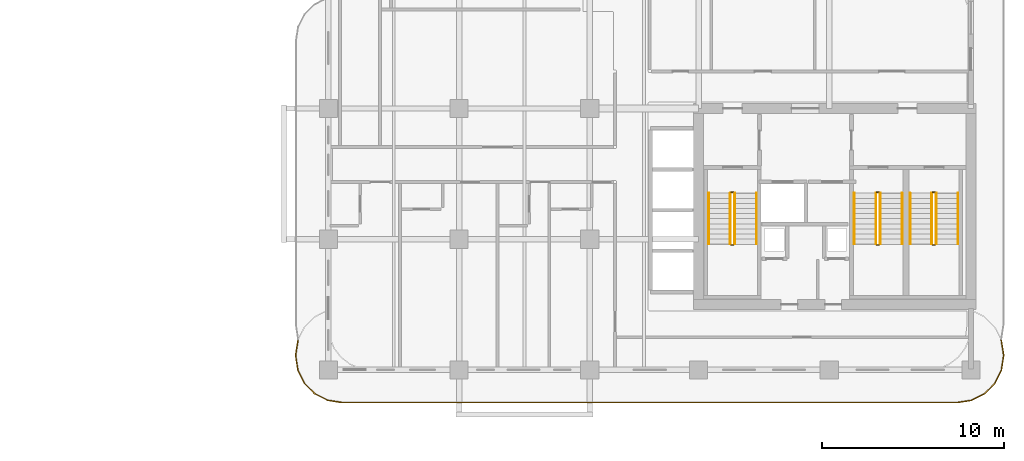
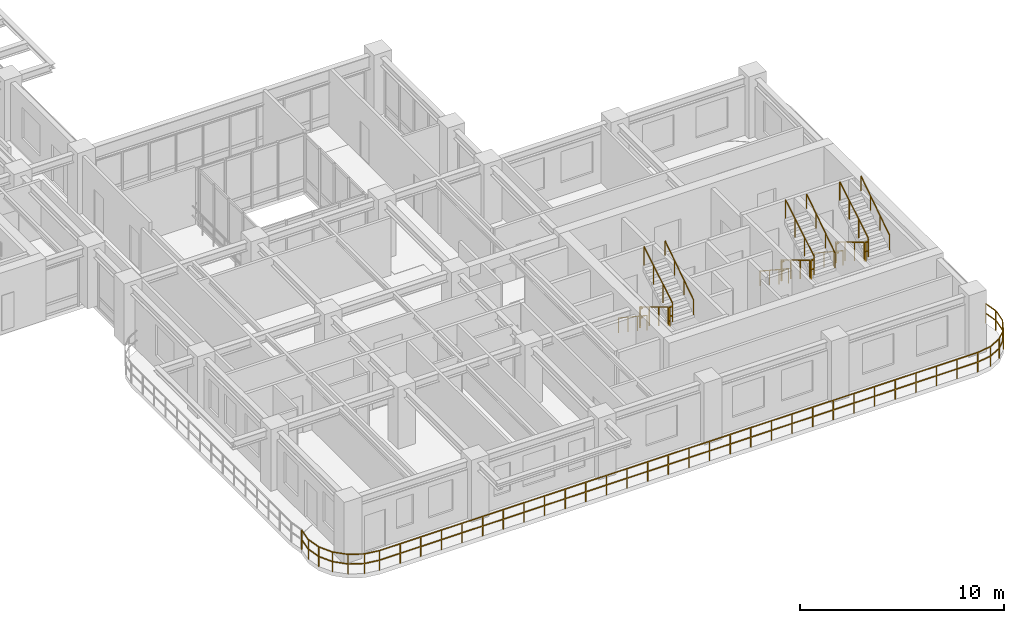
# One storey, part 18 of 20: 19 railings.
"""IFC4 building model written with IfcOpenShell, lengths in metres."""

from ifc_helpers import new_model, si_unit, derived_unit, direction, frame, origin, origin_2d, place, context, subcontext, project, spatial, rectangle, extrude, material, type_object, element, save


model = new_model("IFC4")

# Units and contexts
model_context = context("Model", 3, precision=1e-05, world=origin(), true_north=direction((0.0, 1.0)))
body_context = subcontext(model_context, "Body", "Model", "MODEL_VIEW")
ifc_project = project(units=[si_unit("LENGTHUNIT", "METRE"), si_unit("AREAUNIT", "SQUARE_METRE"), si_unit("VOLUMEUNIT", "CUBIC_METRE"), si_unit("PLANEANGLEUNIT", "RADIAN"), si_unit("MASSUNIT", "GRAM", prefix="KILO"), si_unit("THERMODYNAMICTEMPERATUREUNIT", "KELVIN"), si_unit("POWERUNIT", "WATT"), derived_unit("THERMALTRANSMITTANCEUNIT", [(si_unit("POWERUNIT", "WATT"), 1), (si_unit("AREAUNIT", "SQUARE_METRE"), -1), (si_unit("THERMODYNAMICTEMPERATUREUNIT", "KELVIN"), -1)])], contexts=[model_context])

# Site, building, storey
site_placement = place(None, origin())
site = spatial("IfcSite", under=ifc_project, at=site_placement, CompositionType="ELEMENT")
building_placement = place(site_placement, origin())
building = spatial("IfcBuilding", under=site, at=building_placement, Name="Zahravan Archway Hotel and Residences", CompositionType="ELEMENT")
storey_placement = place(building_placement, frame((0.0, 0.0, 119.199951171875)))
storey = spatial("IfcBuildingStorey", under=building, at=storey_placement, Name="L29", CompositionType="ELEMENT", Elevation=119.199951171875)

# Railings
ifc_material_1 = material(Name="Bronze & Laminated Glass Balustrade", Category="glass")
railing_type_1 = type_object("IfcRailingType", Name="RL-BAL-1200", PredefinedType="BALUSTRADE", material=ifc_material_1)
railing_1_placement = place(storey_placement, frame((51.47509765625, 1.637939453125, 0.0)))
element("IfcRailing", 1, at=railing_1_placement, inside=storey, type_object=railing_type_1, Name="L29 Balustrade RL-SLB-BAL-L29-SA-1", PredefinedType="BALUSTRADE", context=body_context, shape_type="SweptSolid", body=[
    extrude(rectangle(XDim=0.048095703125, YDim=0.048095703125, at=origin_2d()), frame((0.0, 0.0, 1.17578125), z_axis=(0.156701202656, -0.987646056584, 0.0), x_axis=(0.987646056584, 0.156701202656, 0.0)), (0.0, 0.0, 1.0), 0.797607421875),
    extrude(rectangle(XDim=0.048095703125, YDim=0.048095703125, at=origin_2d()), frame((0.0, 0.0, 0.60009765625), z_axis=(0.156701202656, -0.987646056584, 0.0), x_axis=(0.987646056584, 0.156701202656, 0.0)), (0.0, 0.0, 1.0), 0.797607421875),
    extrude(rectangle(XDim=0.048095703125, YDim=0.048095703125, at=origin_2d()), frame((0.125, -0.787841796875, 1.17578125), z_axis=(0.0, -1.0, 0.0), x_axis=(1.0, 0.0, 0.0)), (0.0, 0.0, 1.0), 0.10009765625),
    extrude(rectangle(XDim=0.048095703125, YDim=0.048095703125, at=origin_2d()), frame((0.125, -0.787841796875, 0.60009765625), z_axis=(0.0, -1.0, 0.0), x_axis=(1.0, 0.0, 0.0)), (0.0, 0.0, 1.0), 0.10009765625),
    extrude(rectangle(XDim=0.048095703125, YDim=0.048095703125, at=origin_2d()), frame((0.125, -0.887939453125, 1.17578125), z_axis=(-0.156653849773, -0.98765356849, 0.0), x_axis=(0.98765356849, -0.156653849773, 0.0)), (0.0, 0.0, 1.0), 0.7978515625),
    extrude(rectangle(XDim=0.048095703125, YDim=0.048095703125, at=origin_2d()), frame((0.125, -0.887939453125, 0.60009765625), z_axis=(-0.156653849773, -0.98765356849, 0.0), x_axis=(0.98765356849, -0.156653849773, 0.0)), (0.0, 0.0, 1.0), 0.7978515625),
    extrude(rectangle(XDim=0.048095703125, YDim=0.048095703125, at=origin_2d()), frame((0.0, -1.676025390625, 1.17578125), z_axis=(-0.453934952053, -0.891034824967, 0.0), x_axis=(0.891034824967, -0.453934952053, 0.0)), (0.0, 0.0, 1.0), 0.797607421875),
    extrude(rectangle(XDim=0.048095703125, YDim=0.048095703125, at=origin_2d()), frame((0.0, -1.676025390625, 0.60009765625), z_axis=(-0.453934952053, -0.891034824967, 0.0), x_axis=(0.891034824967, -0.453934952053, 0.0)), (0.0, 0.0, 1.0), 0.797607421875),
    extrude(rectangle(XDim=0.048095703125, YDim=0.048095703125, at=origin_2d()), frame((-0.362060546875, -2.38671875, 1.17578125), z_axis=(-0.707106781187, -0.707106781187, 0.0), x_axis=(0.707106781187, -0.707106781187, 0.0)), (0.0, 0.0, 1.0), 0.7978515625),
    extrude(rectangle(XDim=0.048095703125, YDim=0.048095703125, at=origin_2d()), frame((-0.362060546875, -2.38671875, 0.60009765625), z_axis=(-0.707106781187, -0.707106781187, 0.0), x_axis=(0.707106781187, -0.707106781187, 0.0)), (0.0, 0.0, 1.0), 0.7978515625),
    extrude(rectangle(XDim=0.048095703125, YDim=0.048095703125, at=origin_2d()), frame((-0.92626953125, -2.950927734375, 1.17578125), z_axis=(-0.890974108706, -0.454054113091, 0.0), x_axis=(0.454054113091, -0.890974108706, 0.0)), (0.0, 0.0, 1.0), 0.7978515625),
    extrude(rectangle(XDim=0.048095703125, YDim=0.048095703125, at=origin_2d()), frame((-0.92626953125, -2.950927734375, 0.60009765625), z_axis=(-0.890974108706, -0.454054113091, 0.0), x_axis=(0.454054113091, -0.890974108706, 0.0)), (0.0, 0.0, 1.0), 0.7978515625),
    extrude(rectangle(XDim=0.048095703125, YDim=0.048095703125, at=origin_2d()), frame((-1.63720703125, -3.313232421875, 1.17578125), z_axis=(-0.987693380745, -0.156402639467, 0.0), x_axis=(0.156402639467, -0.987693380745, 0.0)), (0.0, 0.0, 1.0), 0.797607421875),
    extrude(rectangle(XDim=0.048095703125, YDim=0.048095703125, at=origin_2d()), frame((-1.63720703125, -3.313232421875, 0.60009765625), z_axis=(-0.987693380745, -0.156402639467, 0.0), x_axis=(0.156402639467, -0.987693380745, 0.0)), (0.0, 0.0, 1.0), 0.797607421875),
    extrude(rectangle(XDim=0.048095703125, YDim=0.048095703125, at=origin_2d()), frame((-2.425048828125, -3.43798828125, 1.17578125), z_axis=(-1.0, 0.0, 0.0), x_axis=(0.0, -1.0, 0.0)), (0.0, 0.0, 1.0), 33.900146484375),
    extrude(rectangle(XDim=0.048095703125, YDim=0.048095703125, at=origin_2d()), frame((-2.425048828125, -3.43798828125, 0.60009765625), z_axis=(-1.0, 0.0, 0.0), x_axis=(0.0, -1.0, 0.0)), (0.0, 0.0, 1.0), 33.900146484375),
    extrude(rectangle(XDim=0.048095703125, YDim=0.048095703125, at=origin_2d()), frame((-36.3251953125, -3.43798828125, 1.17578125), z_axis=(-0.987693380745, 0.156402639467, 0.0), x_axis=(-0.156402639467, -0.987693380745, 0.0)), (0.0, 0.0, 1.0), 0.797607421875),
    extrude(rectangle(XDim=0.048095703125, YDim=0.048095703125, at=origin_2d()), frame((-36.3251953125, -3.43798828125, 0.60009765625), z_axis=(-0.987693380745, 0.156402639467, 0.0), x_axis=(-0.156402639467, -0.987693380745, 0.0)), (0.0, 0.0, 1.0), 0.797607421875),
    extrude(rectangle(XDim=0.048095703125, YDim=0.048095703125, at=origin_2d()), frame((-37.113037109375, -3.313232421875, 1.17578125), z_axis=(-0.890974108706, 0.454054113091, 0.0), x_axis=(-0.454054113091, -0.890974108706, 0.0)), (0.0, 0.0, 1.0), 0.7978515625),
    extrude(rectangle(XDim=0.048095703125, YDim=0.048095703125, at=origin_2d()), frame((-37.113037109375, -3.313232421875, 0.60009765625), z_axis=(-0.890974108706, 0.454054113091, 0.0), x_axis=(-0.454054113091, -0.890974108706, 0.0)), (0.0, 0.0, 1.0), 0.7978515625),
    extrude(rectangle(XDim=0.048095703125, YDim=0.048095703125, at=origin_2d()), frame((-37.823974609375, -2.950927734375, 1.17578125), z_axis=(-0.707106781187, 0.707106781187, 0.0), x_axis=(-0.707106781187, -0.707106781187, 0.0)), (0.0, 0.0, 1.0), 0.7978515625),
    extrude(rectangle(XDim=0.048095703125, YDim=0.048095703125, at=origin_2d()), frame((-37.823974609375, -2.950927734375, 0.60009765625), z_axis=(-0.707106781187, 0.707106781187, 0.0), x_axis=(-0.707106781187, -0.707106781187, 0.0)), (0.0, 0.0, 1.0), 0.7978515625),
    extrude(rectangle(XDim=0.048095703125, YDim=0.048095703125, at=origin_2d()), frame((-38.38818359375, -2.38671875, 1.17578125), z_axis=(-0.453934952053, 0.891034824967, 0.0), x_axis=(-0.891034824967, -0.453934952053, 0.0)), (0.0, 0.0, 1.0), 0.797607421875),
    extrude(rectangle(XDim=0.048095703125, YDim=0.048095703125, at=origin_2d()), frame((-38.38818359375, -2.38671875, 0.60009765625), z_axis=(-0.453934952053, 0.891034824967, 0.0), x_axis=(-0.891034824967, -0.453934952053, 0.0)), (0.0, 0.0, 1.0), 0.797607421875),
    extrude(rectangle(XDim=0.048095703125, YDim=0.048095703125, at=origin_2d()), frame((-38.750244140625, -1.676025390625, 1.17578125), z_axis=(-0.156355372278, 0.987700864412, 0.0), x_axis=(-0.987700864412, -0.156355372278, 0.0)), (0.0, 0.0, 1.0), 0.7978515625),
    extrude(rectangle(XDim=0.048095703125, YDim=0.048095703125, at=origin_2d()), frame((-38.750244140625, -1.676025390625, 0.60009765625), z_axis=(-0.156355372278, 0.987700864412, 0.0), x_axis=(-0.987700864412, -0.156355372278, 0.0)), (0.0, 0.0, 1.0), 0.7978515625),
    extrude(rectangle(XDim=0.048095703125, YDim=0.048095703125, at=origin_2d()), frame((-38.875, -0.887939453125, 1.17578125), z_axis=(0.0, 1.0, 0.0), x_axis=(-1.0, 0.0, 0.0)), (0.0, 0.0, 1.0), 0.10009765625),
    extrude(rectangle(XDim=0.048095703125, YDim=0.048095703125, at=origin_2d()), frame((-38.875, -0.887939453125, 0.60009765625), z_axis=(0.0, 1.0, 0.0), x_axis=(-1.0, 0.0, 0.0)), (0.0, 0.0, 1.0), 0.10009765625),
    extrude(rectangle(XDim=0.048095703125, YDim=0.048095703125, at=origin_2d()), frame((-38.875, -0.787841796875, 1.17578125), z_axis=(0.156402639467, 0.987693380745, 0.0), x_axis=(-0.987693380745, 0.156402639467, 0.0)), (0.0, 0.0, 1.0), 0.797607421875),
    extrude(rectangle(XDim=0.048095703125, YDim=0.048095703125, at=origin_2d()), frame((-38.875, -0.787841796875, 0.60009765625), z_axis=(0.156402639467, 0.987693380745, 0.0), x_axis=(-0.987693380745, 0.156402639467, 0.0)), (0.0, 0.0, 1.0), 0.797607421875),
    extrude(rectangle(XDim=0.0419921875, YDim=0.0419921875, at=origin_2d()), origin(), (0.0, 0.0, 1.0), 1.15185546875),
    extrude(rectangle(XDim=0.0419921875, YDim=0.0419921875, at=origin_2d()), frame((0.125, -0.787841796875, 0.0)), (0.0, 0.0, 1.0), 1.15185546875),
    extrude(rectangle(XDim=0.0419921875, YDim=0.0419921875, at=origin_2d()), frame((0.0, -1.676025390625, 0.0)), (0.0, 0.0, 1.0), 1.15185546875),
    extrude(rectangle(XDim=0.0419921875, YDim=0.0419921875, at=origin_2d()), frame((-0.362060546875, -2.38671875, 0.0)), (0.0, 0.0, 1.0), 1.15185546875),
    extrude(rectangle(XDim=0.0419921875, YDim=0.0419921875, at=origin_2d()), frame((-0.92626953125, -2.950927734375, 0.0)), (0.0, 0.0, 1.0), 1.15185546875),
    extrude(rectangle(XDim=0.0419921875, YDim=0.0419921875, at=origin_2d()), frame((-1.63720703125, -3.313232421875, 0.0)), (0.0, 0.0, 1.0), 1.15185546875),
    extrude(rectangle(XDim=0.0419921875, YDim=0.0419921875, at=origin_2d()), frame((-2.425048828125, -3.43798828125, 0.0)), (0.0, 0.0, 1.0), 1.15185546875),
    extrude(rectangle(XDim=0.0419921875, YDim=0.0419921875, at=origin_2d()), frame((-3.593994140625, -3.43798828125, 0.0)), (0.0, 0.0, 1.0), 1.15185546875),
    extrude(rectangle(XDim=0.0419921875, YDim=0.0419921875, at=origin_2d()), frame((-4.762939453125, -3.43798828125, 0.0)), (0.0, 0.0, 1.0), 1.15185546875),
    extrude(rectangle(XDim=0.0419921875, YDim=0.0419921875, at=origin_2d()), frame((-5.931884765625, -3.43798828125, 0.0)), (0.0, 0.0, 1.0), 1.15185546875),
    extrude(rectangle(XDim=0.0419921875, YDim=0.0419921875, at=origin_2d()), frame((-7.100830078125, -3.43798828125, 0.0)), (0.0, 0.0, 1.0), 1.15185546875),
    extrude(rectangle(XDim=0.0419921875, YDim=0.0419921875, at=origin_2d()), frame((-8.27001953125, -3.43798828125, 0.0)), (0.0, 0.0, 1.0), 1.15185546875),
    extrude(rectangle(XDim=0.0419921875, YDim=0.0419921875, at=origin_2d()), frame((-9.43896484375, -3.43798828125, 0.0)), (0.0, 0.0, 1.0), 1.15185546875),
    extrude(rectangle(XDim=0.0419921875, YDim=0.0419921875, at=origin_2d()), frame((-10.60791015625, -3.43798828125, 0.0)), (0.0, 0.0, 1.0), 1.15185546875),
    extrude(rectangle(XDim=0.0419921875, YDim=0.0419921875, at=origin_2d()), frame((-11.77685546875, -3.43798828125, 0.0)), (0.0, 0.0, 1.0), 1.15185546875),
    extrude(rectangle(XDim=0.0419921875, YDim=0.0419921875, at=origin_2d()), frame((-12.94580078125, -3.43798828125, 0.0)), (0.0, 0.0, 1.0), 1.15185546875),
    extrude(rectangle(XDim=0.0419921875, YDim=0.0419921875, at=origin_2d()), frame((-14.11474609375, -3.43798828125, 0.0)), (0.0, 0.0, 1.0), 1.15185546875),
    extrude(rectangle(XDim=0.0419921875, YDim=0.0419921875, at=origin_2d()), frame((-15.28369140625, -3.43798828125, 0.0)), (0.0, 0.0, 1.0), 1.15185546875),
    extrude(rectangle(XDim=0.0419921875, YDim=0.0419921875, at=origin_2d()), frame((-16.45263671875, -3.43798828125, 0.0)), (0.0, 0.0, 1.0), 1.15185546875),
    extrude(rectangle(XDim=0.0419921875, YDim=0.0419921875, at=origin_2d()), frame((-17.62158203125, -3.43798828125, 0.0)), (0.0, 0.0, 1.0), 1.15185546875),
    extrude(rectangle(XDim=0.0419921875, YDim=0.0419921875, at=origin_2d()), frame((-18.79052734375, -3.43798828125, 0.0)), (0.0, 0.0, 1.0), 1.15185546875),
    extrude(rectangle(XDim=0.0419921875, YDim=0.0419921875, at=origin_2d()), frame((-19.959716796875, -3.43798828125, 0.0)), (0.0, 0.0, 1.0), 1.15185546875),
    extrude(rectangle(XDim=0.0419921875, YDim=0.0419921875, at=origin_2d()), frame((-21.128662109375, -3.43798828125, 0.0)), (0.0, 0.0, 1.0), 1.15185546875),
    extrude(rectangle(XDim=0.0419921875, YDim=0.0419921875, at=origin_2d()), frame((-22.297607421875, -3.43798828125, 0.0)), (0.0, 0.0, 1.0), 1.15185546875),
    extrude(rectangle(XDim=0.0419921875, YDim=0.0419921875, at=origin_2d()), frame((-23.466552734375, -3.43798828125, 0.0)), (0.0, 0.0, 1.0), 1.15185546875),
    extrude(rectangle(XDim=0.0419921875, YDim=0.0419921875, at=origin_2d()), frame((-24.635498046875, -3.43798828125, 0.0)), (0.0, 0.0, 1.0), 1.15185546875),
    extrude(rectangle(XDim=0.0419921875, YDim=0.0419921875, at=origin_2d()), frame((-25.804443359375, -3.43798828125, 0.0)), (0.0, 0.0, 1.0), 1.15185546875),
    extrude(rectangle(XDim=0.0419921875, YDim=0.0419921875, at=origin_2d()), frame((-26.973388671875, -3.43798828125, 0.0)), (0.0, 0.0, 1.0), 1.15185546875),
    extrude(rectangle(XDim=0.0419921875, YDim=0.0419921875, at=origin_2d()), frame((-28.142333984375, -3.43798828125, 0.0)), (0.0, 0.0, 1.0), 1.15185546875),
    extrude(rectangle(XDim=0.0419921875, YDim=0.0419921875, at=origin_2d()), frame((-29.311279296875, -3.43798828125, 0.0)), (0.0, 0.0, 1.0), 1.15185546875),
    extrude(rectangle(XDim=0.0419921875, YDim=0.0419921875, at=origin_2d()), frame((-30.480224609375, -3.43798828125, 0.0)), (0.0, 0.0, 1.0), 1.15185546875),
    extrude(rectangle(XDim=0.0419921875, YDim=0.0419921875, at=origin_2d()), frame((-31.6494140625, -3.43798828125, 0.0)), (0.0, 0.0, 1.0), 1.15185546875),
    extrude(rectangle(XDim=0.0419921875, YDim=0.0419921875, at=origin_2d()), frame((-32.818359375, -3.43798828125, 0.0)), (0.0, 0.0, 1.0), 1.15185546875),
    extrude(rectangle(XDim=0.0419921875, YDim=0.0419921875, at=origin_2d()), frame((-33.9873046875, -3.43798828125, 0.0)), (0.0, 0.0, 1.0), 1.15185546875),
    extrude(rectangle(XDim=0.0419921875, YDim=0.0419921875, at=origin_2d()), frame((-35.15625, -3.43798828125, 0.0)), (0.0, 0.0, 1.0), 1.15185546875),
    extrude(rectangle(XDim=0.0419921875, YDim=0.0419921875, at=origin_2d()), frame((-36.3251953125, -3.43798828125, 0.0)), (0.0, 0.0, 1.0), 1.15185546875),
    extrude(rectangle(XDim=0.0419921875, YDim=0.0419921875, at=origin_2d()), frame((-37.113037109375, -3.313232421875, 0.0)), (0.0, 0.0, 1.0), 1.15185546875),
    extrude(rectangle(XDim=0.0419921875, YDim=0.0419921875, at=origin_2d()), frame((-37.823974609375, -2.950927734375, 0.0)), (0.0, 0.0, 1.0), 1.15185546875),
    extrude(rectangle(XDim=0.0419921875, YDim=0.0419921875, at=origin_2d()), frame((-38.38818359375, -2.38671875, 0.0)), (0.0, 0.0, 1.0), 1.15185546875),
    extrude(rectangle(XDim=0.0419921875, YDim=0.0419921875, at=origin_2d()), frame((-38.750244140625, -1.676025390625, 0.0)), (0.0, 0.0, 1.0), 1.15185546875),
    extrude(rectangle(XDim=0.0419921875, YDim=0.0419921875, at=origin_2d()), frame((-38.875, -0.887939453125, 0.0)), (0.0, 0.0, 1.0), 1.15185546875),
    extrude(rectangle(XDim=0.0419921875, YDim=0.0419921875, at=origin_2d()), frame((-38.750244140625, 0.0, 0.0)), (0.0, 0.0, 1.0), 1.15185546875),
])
ifc_material_2 = material(Name="Painted Tubular Steel", Category="steel")
railing_type_2 = type_object("IfcRailingType", Name="RL-STG-1150", PredefinedType="GUARDRAIL", material=ifc_material_2)
railing_2_placement = place(storey_placement, frame((36.550048828125, 9.72998046875, 0.168212890625)))
element("IfcRailing", 2, at=railing_2_placement, inside=storey, type_object=railing_type_2, Name="L29 ST-A1 stair guard 1", PredefinedType="GUARDRAIL", context=body_context, shape_type="SweptSolid", body=[
    extrude(rectangle(XDim=0.048095703125, YDim=0.048095703125, at=origin_2d()), frame((0.0, 0.0, 1.1259765625), z_axis=(0.0, -0.857242210791, 0.514913383045), x_axis=(1.0, 0.0, 0.0)), (0.0, 0.0, 1.0), 3.266357421875),
    extrude(rectangle(XDim=0.0419921875, YDim=0.0419921875, at=origin_2d()), origin(), (0.0, 0.0, 1.0), 1.101806640625),
    extrude(rectangle(XDim=0.0419921875, YDim=0.0419921875, at=origin_2d()), frame((0.0, -0.933349609375, 0.560546875)), (0.0, 0.0, 1.0), 1.101806640625),
    extrude(rectangle(XDim=0.0419921875, YDim=0.0419921875, at=origin_2d()), frame((0.0, -1.86669921875, 1.121337890625)), (0.0, 0.0, 1.0), 1.101806640625),
    extrude(rectangle(XDim=0.0419921875, YDim=0.0419921875, at=origin_2d()), frame((0.0, -2.800048828125, 1.681884765625)), (0.0, 0.0, 1.0), 1.101806640625),
])
railing_3_placement = place(storey_placement, frame((36.60009765625, 6.8798828125, 1.85009765625)))
element("IfcRailing", 3, at=railing_3_placement, inside=storey, type_object=railing_type_2, Name="L29 ST-A1 stair guard 2", PredefinedType="GUARDRAIL", context=body_context, shape_type="SweptSolid", body=[
    extrude(rectangle(XDim=0.048095703125, YDim=0.048095703125, at=origin_2d()), frame((0.0, 0.0, 1.1259765625), z_axis=(1.0, 0.0, 0.0), x_axis=(0.0, 1.0, 0.0)), (0.0, 0.0, 1.0), 0.139892578125),
    extrude(rectangle(XDim=0.048095703125, YDim=0.048095703125, at=origin_2d()), frame((0.0, 0.0, 0.574951171875), z_axis=(1.0, 0.0, 0.0), x_axis=(0.0, 1.0, 0.0)), (0.0, 0.0, 1.0), 0.139892578125),
    extrude(rectangle(XDim=0.0419921875, YDim=0.0419921875, at=origin_2d()), origin(), (0.0, 0.0, 1.0), 1.101806640625),
])
railing_4_placement = place(storey_placement, frame((36.7900390625, 6.929931640625, 2.018310546875)))
element("IfcRailing", 4, at=railing_4_placement, inside=storey, type_object=railing_type_2, Name="L29 ST-A1 stair guard 3", PredefinedType="GUARDRAIL", context=body_context, shape_type="SweptSolid", body=[
    extrude(rectangle(XDim=0.048095703125, YDim=0.048095703125, at=origin_2d()), frame((0.0, 0.0, 1.1259765625), z_axis=(0.0, 0.857275202839, 0.514858452973), x_axis=(-1.0, 0.0, 0.0)), (0.0, 0.0, 1.0), 3.26611328125),
    extrude(rectangle(XDim=0.0419921875, YDim=0.0419921875, at=origin_2d()), origin(), (0.0, 0.0, 1.0), 1.101806640625),
    extrude(rectangle(XDim=0.0419921875, YDim=0.0419921875, at=origin_2d()), frame((0.0, 0.933349609375, 0.560546875)), (0.0, 0.0, 1.0), 1.101806640625),
    extrude(rectangle(XDim=0.0419921875, YDim=0.0419921875, at=origin_2d()), frame((0.0, 1.86669921875, 1.12109375)), (0.0, 0.0, 1.0), 1.101806640625),
    extrude(rectangle(XDim=0.0419921875, YDim=0.0419921875, at=origin_2d()), frame((0.0, 2.800048828125, 1.681640625)), (0.0, 0.0, 1.0), 1.101806640625),
])
railing_5_placement = place(storey_placement, frame((36.60009765625, 9.780029296875, 0.0)))
element("IfcRailing", 5, at=railing_5_placement, inside=storey, type_object=railing_type_2, Name="L29 ST-A1 stair guard 4", PredefinedType="GUARDRAIL", context=body_context, shape_type="SweptSolid", body=[
    extrude(rectangle(XDim=0.048095703125, YDim=0.048095703125, at=origin_2d()), frame((0.0, 0.0, 1.1259765625), z_axis=(1.0, 0.0, 0.0), x_axis=(0.0, 1.0, 0.0)), (0.0, 0.0, 1.0), 0.139892578125),
    extrude(rectangle(XDim=0.048095703125, YDim=0.048095703125, at=origin_2d()), frame((0.0, 0.0, 0.574951171875), z_axis=(1.0, 0.0, 0.0), x_axis=(0.0, 1.0, 0.0)), (0.0, 0.0, 1.0), 0.139892578125),
    extrude(rectangle(XDim=0.0419921875, YDim=0.0419921875, at=origin_2d()), origin(), (0.0, 0.0, 1.0), 1.101806640625),
])
railing_6_placement = place(storey_placement, frame((44.570068359375, 9.72998046875, 0.168212890625)))
element("IfcRailing", 6, at=railing_6_placement, inside=storey, type_object=railing_type_2, Name="L29 ST-A2 stair guard 1", PredefinedType="GUARDRAIL", context=body_context, shape_type="SweptSolid", body=[
    extrude(rectangle(XDim=0.048095703125, YDim=0.048095703125, at=origin_2d()), frame((0.0, 0.0, 1.1259765625), z_axis=(0.0, -0.857242210791, 0.514913383045), x_axis=(1.0, 0.0, 0.0)), (0.0, 0.0, 1.0), 3.266357421875),
    extrude(rectangle(XDim=0.0419921875, YDim=0.0419921875, at=origin_2d()), origin(), (0.0, 0.0, 1.0), 1.101806640625),
    extrude(rectangle(XDim=0.0419921875, YDim=0.0419921875, at=origin_2d()), frame((0.0, -0.933349609375, 0.560546875)), (0.0, 0.0, 1.0), 1.101806640625),
    extrude(rectangle(XDim=0.0419921875, YDim=0.0419921875, at=origin_2d()), frame((0.0, -1.86669921875, 1.121337890625)), (0.0, 0.0, 1.0), 1.101806640625),
    extrude(rectangle(XDim=0.0419921875, YDim=0.0419921875, at=origin_2d()), frame((0.0, -2.800048828125, 1.681884765625)), (0.0, 0.0, 1.0), 1.101806640625),
])
railing_7_placement = place(storey_placement, frame((44.6201171875, 6.8798828125, 1.85009765625)))
element("IfcRailing", 7, at=railing_7_placement, inside=storey, type_object=railing_type_2, Name="L29 ST-A2 stair guard 2", PredefinedType="GUARDRAIL", context=body_context, shape_type="SweptSolid", body=[
    extrude(rectangle(XDim=0.048095703125, YDim=0.048095703125, at=origin_2d()), frame((0.0, 0.0, 1.1259765625), z_axis=(1.0, 0.0, 0.0), x_axis=(0.0, 1.0, 0.0)), (0.0, 0.0, 1.0), 0.139892578125),
    extrude(rectangle(XDim=0.048095703125, YDim=0.048095703125, at=origin_2d()), frame((0.0, 0.0, 0.574951171875), z_axis=(1.0, 0.0, 0.0), x_axis=(0.0, 1.0, 0.0)), (0.0, 0.0, 1.0), 0.139892578125),
    extrude(rectangle(XDim=0.0419921875, YDim=0.0419921875, at=origin_2d()), origin(), (0.0, 0.0, 1.0), 1.101806640625),
])
railing_8_placement = place(storey_placement, frame((44.81005859375, 6.929931640625, 2.018310546875)))
element("IfcRailing", 8, at=railing_8_placement, inside=storey, type_object=railing_type_2, Name="L29 ST-A2 stair guard 3", PredefinedType="GUARDRAIL", context=body_context, shape_type="SweptSolid", body=[
    extrude(rectangle(XDim=0.048095703125, YDim=0.048095703125, at=origin_2d()), frame((0.0, 0.0, 1.1259765625), z_axis=(0.0, 0.857275202839, 0.514858452973), x_axis=(-1.0, 0.0, 0.0)), (0.0, 0.0, 1.0), 3.26611328125),
    extrude(rectangle(XDim=0.0419921875, YDim=0.0419921875, at=origin_2d()), origin(), (0.0, 0.0, 1.0), 1.101806640625),
    extrude(rectangle(XDim=0.0419921875, YDim=0.0419921875, at=origin_2d()), frame((0.0, 0.933349609375, 0.560546875)), (0.0, 0.0, 1.0), 1.101806640625),
    extrude(rectangle(XDim=0.0419921875, YDim=0.0419921875, at=origin_2d()), frame((0.0, 1.86669921875, 1.12109375)), (0.0, 0.0, 1.0), 1.101806640625),
    extrude(rectangle(XDim=0.0419921875, YDim=0.0419921875, at=origin_2d()), frame((0.0, 2.800048828125, 1.681640625)), (0.0, 0.0, 1.0), 1.101806640625),
])
railing_9_placement = place(storey_placement, frame((44.6201171875, 9.780029296875, 0.0)))
element("IfcRailing", 9, at=railing_9_placement, inside=storey, type_object=railing_type_2, Name="L29 ST-A2 stair guard 4", PredefinedType="GUARDRAIL", context=body_context, shape_type="SweptSolid", body=[
    extrude(rectangle(XDim=0.048095703125, YDim=0.048095703125, at=origin_2d()), frame((0.0, 0.0, 1.1259765625), z_axis=(1.0, 0.0, 0.0), x_axis=(0.0, 1.0, 0.0)), (0.0, 0.0, 1.0), 0.139892578125),
    extrude(rectangle(XDim=0.048095703125, YDim=0.048095703125, at=origin_2d()), frame((0.0, 0.0, 0.574951171875), z_axis=(1.0, 0.0, 0.0), x_axis=(0.0, 1.0, 0.0)), (0.0, 0.0, 1.0), 0.139892578125),
    extrude(rectangle(XDim=0.0419921875, YDim=0.0419921875, at=origin_2d()), origin(), (0.0, 0.0, 1.0), 1.101806640625),
])
railing_10_placement = place(storey_placement, frame((47.64990234375, 9.72998046875, 0.168212890625)))
element("IfcRailing", 10, at=railing_10_placement, inside=storey, type_object=railing_type_2, Name="L29 ST-A3 stair guard 1", PredefinedType="GUARDRAIL", context=body_context, shape_type="SweptSolid", body=[
    extrude(rectangle(XDim=0.048095703125, YDim=0.048095703125, at=origin_2d()), frame((0.0, 0.0, 1.1259765625), z_axis=(0.0, -0.857242210791, 0.514913383045), x_axis=(1.0, 0.0, 0.0)), (0.0, 0.0, 1.0), 3.266357421875),
    extrude(rectangle(XDim=0.0419921875, YDim=0.0419921875, at=origin_2d()), origin(), (0.0, 0.0, 1.0), 1.101806640625),
    extrude(rectangle(XDim=0.0419921875, YDim=0.0419921875, at=origin_2d()), frame((0.0, -0.933349609375, 0.560546875)), (0.0, 0.0, 1.0), 1.101806640625),
    extrude(rectangle(XDim=0.0419921875, YDim=0.0419921875, at=origin_2d()), frame((0.0, -1.86669921875, 1.121337890625)), (0.0, 0.0, 1.0), 1.101806640625),
    extrude(rectangle(XDim=0.0419921875, YDim=0.0419921875, at=origin_2d()), frame((0.0, -2.800048828125, 1.681884765625)), (0.0, 0.0, 1.0), 1.101806640625),
])
railing_11_placement = place(storey_placement, frame((47.699951171875, 6.8798828125, 1.85009765625)))
element("IfcRailing", 11, at=railing_11_placement, inside=storey, type_object=railing_type_2, Name="L29 ST-A3 stair guard 2", PredefinedType="GUARDRAIL", context=body_context, shape_type="SweptSolid", body=[
    extrude(rectangle(XDim=0.048095703125, YDim=0.048095703125, at=origin_2d()), frame((0.0, 0.0, 1.1259765625), z_axis=(1.0, 0.0, 0.0), x_axis=(0.0, 1.0, 0.0)), (0.0, 0.0, 1.0), 0.14013671875),
    extrude(rectangle(XDim=0.048095703125, YDim=0.048095703125, at=origin_2d()), frame((0.0, 0.0, 0.574951171875), z_axis=(1.0, 0.0, 0.0), x_axis=(0.0, 1.0, 0.0)), (0.0, 0.0, 1.0), 0.14013671875),
    extrude(rectangle(XDim=0.0419921875, YDim=0.0419921875, at=origin_2d()), origin(), (0.0, 0.0, 1.0), 1.101806640625),
])
railing_12_placement = place(storey_placement, frame((47.889892578125, 6.929931640625, 2.018310546875)))
element("IfcRailing", 12, at=railing_12_placement, inside=storey, type_object=railing_type_2, Name="L29 ST-A3 stair guard 3", PredefinedType="GUARDRAIL", context=body_context, shape_type="SweptSolid", body=[
    extrude(rectangle(XDim=0.048095703125, YDim=0.048095703125, at=origin_2d()), frame((0.0, 0.0, 1.1259765625), z_axis=(0.0, 0.857275202839, 0.514858452973), x_axis=(-1.0, 0.0, 0.0)), (0.0, 0.0, 1.0), 3.26611328125),
    extrude(rectangle(XDim=0.0419921875, YDim=0.0419921875, at=origin_2d()), origin(), (0.0, 0.0, 1.0), 1.101806640625),
    extrude(rectangle(XDim=0.0419921875, YDim=0.0419921875, at=origin_2d()), frame((0.0, 0.933349609375, 0.560546875)), (0.0, 0.0, 1.0), 1.101806640625),
    extrude(rectangle(XDim=0.0419921875, YDim=0.0419921875, at=origin_2d()), frame((0.0, 1.86669921875, 1.12109375)), (0.0, 0.0, 1.0), 1.101806640625),
    extrude(rectangle(XDim=0.0419921875, YDim=0.0419921875, at=origin_2d()), frame((0.0, 2.800048828125, 1.681640625)), (0.0, 0.0, 1.0), 1.101806640625),
])
railing_13_placement = place(storey_placement, frame((47.699951171875, 9.780029296875, 0.0)))
element("IfcRailing", 13, at=railing_13_placement, inside=storey, type_object=railing_type_2, Name="L29 ST-A3 stair guard 4", PredefinedType="GUARDRAIL", context=body_context, shape_type="SweptSolid", body=[
    extrude(rectangle(XDim=0.048095703125, YDim=0.048095703125, at=origin_2d()), frame((0.0, 0.0, 1.1259765625), z_axis=(1.0, 0.0, 0.0), x_axis=(0.0, 1.0, 0.0)), (0.0, 0.0, 1.0), 0.14013671875),
    extrude(rectangle(XDim=0.048095703125, YDim=0.048095703125, at=origin_2d()), frame((0.0, 0.0, 0.574951171875), z_axis=(1.0, 0.0, 0.0), x_axis=(0.0, 1.0, 0.0)), (0.0, 0.0, 1.0), 0.14013671875),
    extrude(rectangle(XDim=0.0419921875, YDim=0.0419921875, at=origin_2d()), origin(), (0.0, 0.0, 1.0), 1.101806640625),
])
ifc_material_3 = material(Name="Brushed Stainless Steel", Category="steel")
railing_type_3 = type_object("IfcRailingType", Name="RL-STH-900", PredefinedType="HANDRAIL", material=ifc_material_3)
railing_14_placement = place(storey_placement, frame((35.35009765625, 9.72998046875, 0.168212890625)))
element("IfcRailing", 14, at=railing_14_placement, inside=storey, type_object=railing_type_3, Name="L29 ST-A1 stair handrail 1", PredefinedType="HANDRAIL", context=body_context, shape_type="SweptSolid", body=[
    extrude(rectangle(XDim=0.048095703125, YDim=0.048095703125, at=origin_2d()), frame((0.0, 0.0, 0.8759765625), z_axis=(0.0, -0.834326358476, 0.551270829586), x_axis=(1.0, 0.0, 0.0)), (0.0, 0.0, 1.0), 3.35595703125),
    extrude(rectangle(XDim=0.0419921875, YDim=0.0419921875, at=origin_2d()), origin(), (0.0, 0.0, 1.0), 0.851806640625),
    extrude(rectangle(XDim=0.0419921875, YDim=0.0419921875, at=origin_2d()), frame((0.0, -0.933349609375, 0.61669921875)), (0.0, 0.0, 1.0), 0.851806640625),
    extrude(rectangle(XDim=0.0419921875, YDim=0.0419921875, at=origin_2d()), frame((0.0, -1.86669921875, 1.2333984375)), (0.0, 0.0, 1.0), 0.851806640625),
    extrude(rectangle(XDim=0.0419921875, YDim=0.0419921875, at=origin_2d()), frame((0.0, -2.800048828125, 1.85009765625)), (0.0, 0.0, 1.0), 0.851806640625),
])
railing_15_placement = place(storey_placement, frame((37.989990234375, 6.929931640625, 2.018310546875)))
element("IfcRailing", 15, at=railing_15_placement, inside=storey, type_object=railing_type_3, Name="L29 ST-A1 stair handrail 2", PredefinedType="HANDRAIL", context=body_context, shape_type="SweptSolid", body=[
    extrude(rectangle(XDim=0.048095703125, YDim=0.048095703125, at=origin_2d()), frame((0.0, 0.0, 0.8759765625), z_axis=(0.0, 0.83435981716, 0.551220187865), x_axis=(-1.0, 0.0, 0.0)), (0.0, 0.0, 1.0), 3.35595703125),
    extrude(rectangle(XDim=0.0419921875, YDim=0.0419921875, at=origin_2d()), origin(), (0.0, 0.0, 1.0), 0.851806640625),
    extrude(rectangle(XDim=0.0419921875, YDim=0.0419921875, at=origin_2d()), frame((0.0, 0.933349609375, 0.61669921875)), (0.0, 0.0, 1.0), 0.851806640625),
    extrude(rectangle(XDim=0.0419921875, YDim=0.0419921875, at=origin_2d()), frame((0.0, 1.86669921875, 1.233154296875)), (0.0, 0.0, 1.0), 0.851806640625),
    extrude(rectangle(XDim=0.0419921875, YDim=0.0419921875, at=origin_2d()), frame((0.0, 2.800048828125, 1.849853515625)), (0.0, 0.0, 1.0), 0.851806640625),
])
railing_16_placement = place(storey_placement, frame((43.3701171875, 9.72998046875, 0.168212890625)))
element("IfcRailing", 16, at=railing_16_placement, inside=storey, type_object=railing_type_3, Name="L29 ST-A2 stair handrail 1", PredefinedType="HANDRAIL", context=body_context, shape_type="SweptSolid", body=[
    extrude(rectangle(XDim=0.048095703125, YDim=0.048095703125, at=origin_2d()), frame((0.0, 0.0, 0.8759765625), z_axis=(0.0, -0.834326358476, 0.551270829586), x_axis=(1.0, 0.0, 0.0)), (0.0, 0.0, 1.0), 3.35595703125),
    extrude(rectangle(XDim=0.0419921875, YDim=0.0419921875, at=origin_2d()), origin(), (0.0, 0.0, 1.0), 0.851806640625),
    extrude(rectangle(XDim=0.0419921875, YDim=0.0419921875, at=origin_2d()), frame((0.0, -0.933349609375, 0.61669921875)), (0.0, 0.0, 1.0), 0.851806640625),
    extrude(rectangle(XDim=0.0419921875, YDim=0.0419921875, at=origin_2d()), frame((0.0, -1.86669921875, 1.2333984375)), (0.0, 0.0, 1.0), 0.851806640625),
    extrude(rectangle(XDim=0.0419921875, YDim=0.0419921875, at=origin_2d()), frame((0.0, -2.800048828125, 1.85009765625)), (0.0, 0.0, 1.0), 0.851806640625),
])
railing_17_placement = place(storey_placement, frame((46.010009765625, 6.929931640625, 2.018310546875)))
element("IfcRailing", 17, at=railing_17_placement, inside=storey, type_object=railing_type_3, Name="L29 ST-A2 stair handrail 2", PredefinedType="HANDRAIL", context=body_context, shape_type="SweptSolid", body=[
    extrude(rectangle(XDim=0.048095703125, YDim=0.048095703125, at=origin_2d()), frame((0.0, 0.0, 0.8759765625), z_axis=(0.0, 0.83435981716, 0.551220187865), x_axis=(-1.0, 0.0, 0.0)), (0.0, 0.0, 1.0), 3.35595703125),
    extrude(rectangle(XDim=0.0419921875, YDim=0.0419921875, at=origin_2d()), origin(), (0.0, 0.0, 1.0), 0.851806640625),
    extrude(rectangle(XDim=0.0419921875, YDim=0.0419921875, at=origin_2d()), frame((0.0, 0.933349609375, 0.61669921875)), (0.0, 0.0, 1.0), 0.851806640625),
    extrude(rectangle(XDim=0.0419921875, YDim=0.0419921875, at=origin_2d()), frame((0.0, 1.86669921875, 1.233154296875)), (0.0, 0.0, 1.0), 0.851806640625),
    extrude(rectangle(XDim=0.0419921875, YDim=0.0419921875, at=origin_2d()), frame((0.0, 2.800048828125, 1.849853515625)), (0.0, 0.0, 1.0), 0.851806640625),
])
railing_18_placement = place(storey_placement, frame((46.449951171875, 9.72998046875, 0.168212890625)))
element("IfcRailing", 18, at=railing_18_placement, inside=storey, type_object=railing_type_3, Name="L29 ST-A3 stair handrail 1", PredefinedType="HANDRAIL", context=body_context, shape_type="SweptSolid", body=[
    extrude(rectangle(XDim=0.048095703125, YDim=0.048095703125, at=origin_2d()), frame((0.0, 0.0, 0.8759765625), z_axis=(0.0, -0.834326358476, 0.551270829586), x_axis=(1.0, 0.0, 0.0)), (0.0, 0.0, 1.0), 3.35595703125),
    extrude(rectangle(XDim=0.0419921875, YDim=0.0419921875, at=origin_2d()), origin(), (0.0, 0.0, 1.0), 0.851806640625),
    extrude(rectangle(XDim=0.0419921875, YDim=0.0419921875, at=origin_2d()), frame((0.0, -0.933349609375, 0.61669921875)), (0.0, 0.0, 1.0), 0.851806640625),
    extrude(rectangle(XDim=0.0419921875, YDim=0.0419921875, at=origin_2d()), frame((0.0, -1.86669921875, 1.2333984375)), (0.0, 0.0, 1.0), 0.851806640625),
    extrude(rectangle(XDim=0.0419921875, YDim=0.0419921875, at=origin_2d()), frame((0.0, -2.800048828125, 1.85009765625)), (0.0, 0.0, 1.0), 0.851806640625),
])
railing_19_placement = place(storey_placement, frame((49.090087890625, 6.929931640625, 2.018310546875)))
element("IfcRailing", 19, at=railing_19_placement, inside=storey, type_object=railing_type_3, Name="L29 ST-A3 stair handrail 2", PredefinedType="HANDRAIL", context=body_context, shape_type="SweptSolid", body=[
    extrude(rectangle(XDim=0.048095703125, YDim=0.048095703125, at=origin_2d()), frame((0.0, 0.0, 0.8759765625), z_axis=(0.0, 0.83435981716, 0.551220187865), x_axis=(-1.0, 0.0, 0.0)), (0.0, 0.0, 1.0), 3.35595703125),
    extrude(rectangle(XDim=0.0419921875, YDim=0.0419921875, at=origin_2d()), origin(), (0.0, 0.0, 1.0), 0.851806640625),
    extrude(rectangle(XDim=0.0419921875, YDim=0.0419921875, at=origin_2d()), frame((0.0, 0.933349609375, 0.61669921875)), (0.0, 0.0, 1.0), 0.851806640625),
    extrude(rectangle(XDim=0.0419921875, YDim=0.0419921875, at=origin_2d()), frame((0.0, 1.86669921875, 1.233154296875)), (0.0, 0.0, 1.0), 0.851806640625),
    extrude(rectangle(XDim=0.0419921875, YDim=0.0419921875, at=origin_2d()), frame((0.0, 2.800048828125, 1.849853515625)), (0.0, 0.0, 1.0), 0.851806640625),
])

save(model, "model.ifc")
